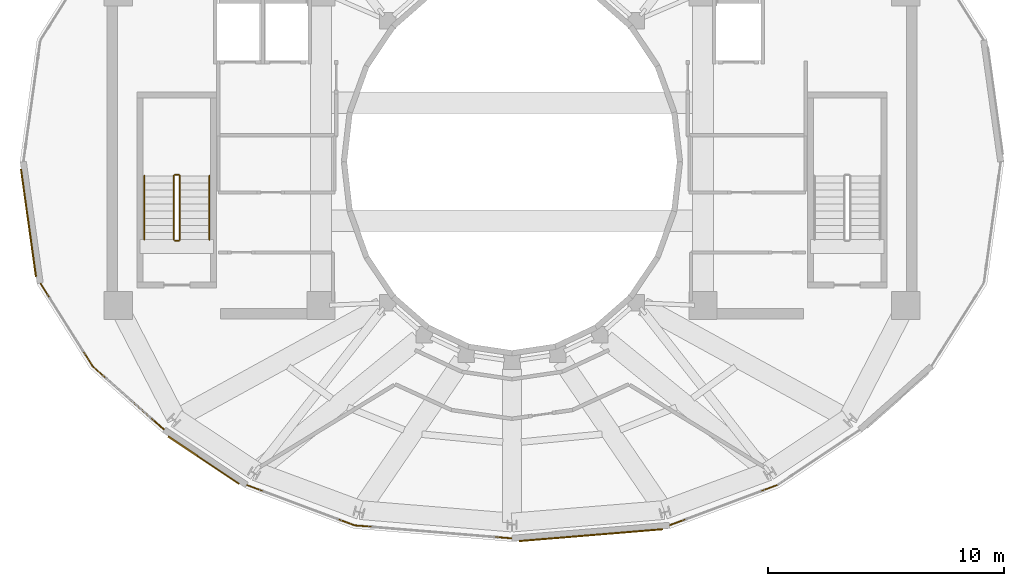
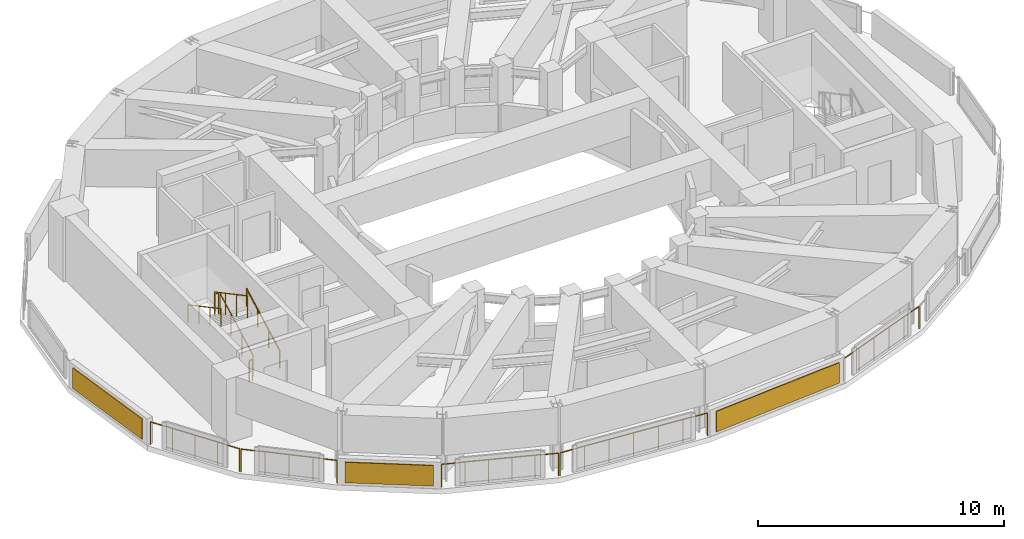
# One storey, part 16 of 18: 11 railings, 3 shading devices.
"""IFC4 building model written with IfcOpenShell, lengths in metres."""

import ifcopenshell
import ifcopenshell.guid

model = None  # the IFC model being written
_history = None  # IfcOwnerHistory: only IFC2X3 demands one
_inside = {}  # id of a spatial element -> (the spatial element, [elements in it])
_under = {}  # id of a project, library or spatial element -> (it, [spatial elements below it])
_declared = {}  # id of a project -> (the project, [libraries it declares])
_typed = {}  # id of a type object -> (the type object, [elements of that type])
_made_of = {}  # id of a material, layer set ... -> (it, [elements and type objects made of it])


def new_model(schema):
    """Start an empty IFC model of exactly this schema.

    Asked for "IFC4X3", IfcOpenShell would pick the latest addendum, in which some entities
    have other attributes; the version numbers below select the first issue.
    IFC2X3 requires an IfcOwnerHistory on every rooted entity: one is made here for all.
    """
    global model, _history
    if schema == "IFC4X3":
        model = ifcopenshell.file(schema_version=(4, 3, 0, 0))
    else:
        model = ifcopenshell.file(schema=schema)
    _inside.clear()
    _under.clear()
    _declared.clear()
    _typed.clear()
    _made_of.clear()
    _history = None
    if model.schema == "IFC2X3":
        org = make("IfcOrganization", Name="unknown")
        user = make(
            "IfcPersonAndOrganization",
            ThePerson=make("IfcPerson", FamilyName="unknown"),
            TheOrganization=org,
        )
        app = make(
            "IfcApplication",
            ApplicationDeveloper=org,
            Version="unknown",
            ApplicationFullName="unknown",
            ApplicationIdentifier="unknown",
        )
        _history = make(
            "IfcOwnerHistory",
            OwningUser=user,
            OwningApplication=app,
            ChangeAction="ADDED",
            CreationDate=0,
        )
    return model


def make(cls, **values):
    """One entity of the class cls with the attributes given. An attribute that is None is left unset."""
    return model.create_entity(
        cls, **{name: value for name, value in values.items() if value is not None}
    )


def rooted(cls, **values):
    """An entity with a GlobalId (a new one), such as an element, a storey or a relation."""
    return make(cls, GlobalId=ifcopenshell.guid.new(), OwnerHistory=_history, **values)


def si_unit(unit_type, name, prefix=None):
    """IfcSIUnit, for example si_unit("LENGTHUNIT", "METRE", prefix="MILLI")."""
    return make("IfcSIUnit", UnitType=unit_type, Prefix=prefix, Name=name)


def assignment(units):
    """IfcUnitAssignment: the units of a project."""
    return None if units is None else make("IfcUnitAssignment", Units=units)


def point(xyz):
    """IfcCartesianPoint."""
    return None if xyz is None else make("IfcCartesianPoint", Coordinates=xyz)


def direction(xyz):
    """IfcDirection."""
    return None if xyz is None else make("IfcDirection", DirectionRatios=xyz)


def frame(location, z_axis=None, x_axis=None):
    """IfcAxis2Placement3D, a coordinate frame: its origin and axes. An axis left out is left unset."""
    return make(
        "IfcAxis2Placement3D",
        Location=point(location),
        Axis=direction(z_axis),
        RefDirection=direction(x_axis),
    )


def frame_2d(location, x_axis=None):
    """IfcAxis2Placement2D, a coordinate frame in the plane: its origin and x axis."""
    return make(
        "IfcAxis2Placement2D", Location=point(location), RefDirection=direction(x_axis)
    )


def origin():
    """The frame at (0, 0, 0) with its axes left unset."""
    return frame((0.0, 0.0, 0.0))


def origin_2d():
    """The frame at (0, 0) in the plane with its x axis left unset."""
    return frame_2d((0.0, 0.0))


def place(relative_to, where):
    """IfcLocalPlacement: puts the frame where relative to a parent placement (None: the world)."""
    return make(
        "IfcLocalPlacement", PlacementRelTo=relative_to, RelativePlacement=where
    )


def context(
    kind, dimensions, precision=None, world=None, true_north=None, identifier=None
):
    """IfcGeometricRepresentationContext, for example the 3D "Model" context."""
    return make(
        "IfcGeometricRepresentationContext",
        ContextIdentifier=identifier,
        ContextType=kind,
        CoordinateSpaceDimension=dimensions,
        Precision=precision,
        WorldCoordinateSystem=world,
        TrueNorth=true_north,
    )


def subcontext(parent, identifier, kind, view, scale=None):
    """IfcGeometricRepresentationSubContext, for example "Body" below "Model"."""
    return make(
        "IfcGeometricRepresentationSubContext",
        ContextIdentifier=identifier,
        ContextType=kind,
        ParentContext=parent,
        TargetScale=scale,
        TargetView=view,
    )


def project(units=None, contexts=None):
    """IfcProject with its units and contexts."""
    return rooted(
        "IfcProject",
        Name="project",
        RepresentationContexts=contexts,
        UnitsInContext=assignment(units),
    )


def spatial(cls, under=None, at=None, **own):
    """A site, building, storey or space (cls), placed at a placement, below another one or the project."""
    s = rooted(cls, ObjectPlacement=at, **own)
    if under is not None:
        _under.setdefault(under.id(), (under, []))[1].append(s)
    return s


def profile(cls, at=None, kind="AREA", **sizes):
    """A parametric profile (cls). Its sizes go by their IFC names, for example OverallWidth=200.0."""
    return make(cls, ProfileType=kind, Position=at, **sizes)


def rectangle(**sizes):
    """IfcRectangleProfileDef."""
    return profile("IfcRectangleProfileDef", **sizes)


def circle(**sizes):
    """IfcCircleProfileDef."""
    return profile("IfcCircleProfileDef", **sizes)


def extrude(swept, where, along, depth):
    """IfcExtrudedAreaSolid: the profile swept, set in the frame where, extruded along a direction by depth."""
    return make(
        "IfcExtrudedAreaSolid",
        SweptArea=swept,
        Position=where,
        ExtrudedDirection=direction(along),
        Depth=depth,
    )


def shape(context_of_items, identifier, shape_type, items):
    """IfcShapeRepresentation: the items that make up one representation, for example the "Body"."""
    return make(
        "IfcShapeRepresentation",
        ContextOfItems=context_of_items,
        RepresentationIdentifier=identifier,
        RepresentationType=shape_type,
        Items=items,
    )


def material(Name=None, Category=None):
    """IfcMaterial."""
    return make("IfcMaterial", Name=Name, Category=Category)


def layer(
    of_material, thickness, ventilated=None, Name=None, Category=None, Priority=None
):
    """IfcMaterialLayer: one layer of a wall or slab, of a material (None: an air gap)."""
    return make(
        "IfcMaterialLayer",
        Material=of_material,
        LayerThickness=thickness,
        IsVentilated=ventilated,
        Name=Name,
        Category=Category,
        Priority=Priority,
    )


def layer_set(layers, Name=None):
    """IfcMaterialLayerSet."""
    return make("IfcMaterialLayerSet", MaterialLayers=layers, LayerSetName=Name)


def made_of(thing, what):
    """Note that an element or type object is made of a material, layer set ...; save() writes the relation."""
    if what is not None:
        _made_of.setdefault(what.id(), (what, []))[1].append(thing)
    return thing


def type_object(cls, material=None, **own):
    """A type object (cls), such as IfcWallType, which elements share."""
    return made_of(rooted(cls, **own), material)


def element(
    cls,
    number,
    at=None,
    inside=None,
    cuts=None,
    type_object=None,
    material=None,
    context=None,
    identifier="Body",
    shape_type=None,
    held_by="IfcProductDefinitionShape",
    body=None,
    shapes=None,
    **own,
):
    """One element of the class cls, such as IfcWall. Its Tag is "e" and its number.

    at: its placement. inside: the storey or other place that contains it. cuts: it is an
    opening in that element (IfcRelVoidsElement). A single representation is given by context,
    identifier, shape_type and body (its items); several are given by shapes. held_by: the class
    of the entity that holds the representations. save() writes the other relations.
    """
    e = rooted(cls, Tag="e%d" % number, ObjectPlacement=at, **own)
    if body is not None:
        shapes = [shape(context, identifier, shape_type, body)]
    if shapes is not None:
        e.Representation = make(held_by, Representations=shapes)
    if inside is not None:
        _inside.setdefault(inside.id(), (inside, []))[1].append(e)
    if cuts is not None:
        rooted(
            "IfcRelVoidsElement", RelatingBuildingElement=cuts, RelatedOpeningElement=e
        )
    if type_object is not None:
        _typed.setdefault(type_object.id(), (type_object, []))[1].append(e)
    return made_of(e, material)


def aggregate(whole, parts):
    """IfcRelAggregates: a whole, such as a stair, and the parts it consists of."""
    return rooted("IfcRelAggregates", RelatingObject=whole, RelatedObjects=parts)


def save(model, path):
    """Write the relations noted so far, then the file.

    IfcRelAggregates (storeys below a building ...), IfcRelContainedInSpatialStructure (elements
    in a storey), IfcRelDefinesByType, IfcRelAssociatesMaterial and IfcRelDeclares: one each for
    every whole, place, type object, material and project.
    """
    for whole, parts in _under.values():
        aggregate(whole, parts)
    for where, things in _inside.values():
        rooted(
            "IfcRelContainedInSpatialStructure",
            RelatedElements=things,
            RelatingStructure=where,
        )
    for kind, things in _typed.values():
        rooted("IfcRelDefinesByType", RelatedObjects=things, RelatingType=kind)
    for what, things in _made_of.values():
        rooted("IfcRelAssociatesMaterial", RelatedObjects=things, RelatingMaterial=what)
    for by, libraries in _declared.values():
        rooted("IfcRelDeclares", RelatingContext=by, RelatedDefinitions=libraries)
    model.write(path)


model = new_model("IFC4")

# Units and contexts
model_context = context("Model", 3, precision=1e-05, world=origin(), true_north=direction((0.0, 1.0)))
body_context = subcontext(model_context, "Body", "Model", "MODEL_VIEW")
ifc_project = project(units=[si_unit("LENGTHUNIT", "METRE"), si_unit("AREAUNIT", "SQUARE_METRE"), si_unit("VOLUMEUNIT", "CUBIC_METRE"), si_unit("PLANEANGLEUNIT", "RADIAN"), si_unit("MASSUNIT", "GRAM", prefix="KILO")], contexts=[model_context])

# Site, building, storey
site_placement = place(None, origin())
site = spatial("IfcSite", under=ifc_project, at=site_placement, CompositionType="ELEMENT")
building_placement = place(site_placement, origin())
building = spatial("IfcBuilding", under=site, at=building_placement, Name="Solvane Sanctuary Tower", CompositionType="ELEMENT")
storey_placement = place(building_placement, frame((0.0, 0.0, 263.60009765625)))
storey = spatial("IfcBuildingStorey", under=building, at=storey_placement, Name="L80", CompositionType="ELEMENT", Elevation=263.60009765625)

# Railings
ifc_material_1 = material(Name="Architectural Stainless Steel 316", Category="steel")
railing_type_1 = type_object("IfcRailingType", Name="Railing GR-BALC-1150", PredefinedType="BALUSTRADE", material=ifc_material_1)
railing_1_placement = place(storey_placement, frame((12.011962890625, 17.82958984375, 0.0)))
element("IfcRailing", 1, at=railing_1_placement, inside=storey, type_object=railing_type_1, Name="L80 Crown Curtain-Wall Sill Guard 13", PredefinedType="BALUSTRADE", context=body_context, shape_type="SweptSolid", body=[
    extrude(circle(Radius=0.02392578125, at=origin_2d()), frame((0.0, 0.0, 1.1259765625), z_axis=(0.533008723796, -0.846109744866, 0.0), x_axis=(0.846109744866, 0.533008723796, 0.0)), (0.0, 0.0, 1.0), 4.107666015625),
    extrude(circle(Radius=0.02099609375, at=origin_2d()), origin(), (0.0, 0.0, 1.0), 1.101806640625),
    extrude(circle(Radius=0.02099609375, at=origin_2d()), frame((0.54736328125, -0.868896484375, 0.0)), (0.0, 0.0, 1.0), 1.101806640625),
    extrude(circle(Radius=0.02099609375, at=origin_2d()), frame((1.0947265625, -1.73779296875, 0.0)), (0.0, 0.0, 1.0), 1.101806640625),
    extrude(circle(Radius=0.02099609375, at=origin_2d()), frame((1.64208984375, -2.606689453125, 0.0)), (0.0, 0.0, 1.0), 1.101806640625),
    extrude(circle(Radius=0.02099609375, at=origin_2d()), frame((2.189453125, -3.4755859375, 0.0)), (0.0, 0.0, 1.0), 1.101806640625),
])
railing_2_placement = place(storey_placement, frame((14.239990234375, 14.308837890625, 0.0)))
element("IfcRailing", 2, at=railing_2_placement, inside=storey, type_object=railing_type_1, Name="L80 Crown Curtain-Wall Sill Guard 14", PredefinedType="BALUSTRADE", context=body_context, shape_type="SweptSolid", body=[
    extrude(circle(Radius=0.02392578125, at=origin_2d()), frame((0.0, 0.0, 1.1259765625), z_axis=(0.74800521899, -0.663692844894, 0.0), x_axis=(0.663692844894, 0.74800521899, 0.0)), (0.0, 0.0, 1.0), 3.9990234375),
    extrude(circle(Radius=0.02099609375, at=origin_2d()), origin(), (0.0, 0.0, 1.0), 1.101806640625),
    extrude(circle(Radius=0.02099609375, at=origin_2d()), frame((0.747802734375, -0.66357421875, 0.0)), (0.0, 0.0, 1.0), 1.101806640625),
    extrude(circle(Radius=0.02099609375, at=origin_2d()), frame((1.49560546875, -1.3271484375, 0.0)), (0.0, 0.0, 1.0), 1.101806640625),
    extrude(circle(Radius=0.02099609375, at=origin_2d()), frame((2.243408203125, -1.990478515625, 0.0)), (0.0, 0.0, 1.0), 1.101806640625),
    extrude(circle(Radius=0.02099609375, at=origin_2d()), frame((2.9912109375, -2.654052734375, 0.0)), (0.0, 0.0, 1.0), 1.101806640625),
])
railing_3_placement = place(storey_placement, frame((20.777099609375, 9.284423828125, 0.0)))
element("IfcRailing", 3, at=railing_3_placement, inside=storey, type_object=railing_type_1, Name="L80 Crown Curtain-Wall Sill Guard 16", PredefinedType="BALUSTRADE", context=body_context, shape_type="SweptSolid", body=[
    extrude(circle(Radius=0.02392578125, at=origin_2d()), frame((0.0, 0.0, 1.1259765625), z_axis=(0.936566011604, -0.350491235137, 0.0), x_axis=(0.350491235137, 0.936566011604, 0.0)), (0.0, 0.0, 1.0), 4.8251953125),
    extrude(circle(Radius=0.02099609375, at=origin_2d()), origin(), (0.0, 0.0, 1.0), 1.101806640625),
    extrude(circle(Radius=0.02099609375, at=origin_2d()), frame((0.90380859375, -0.338134765625, 0.0)), (0.0, 0.0, 1.0), 1.101806640625),
    extrude(circle(Radius=0.02099609375, at=origin_2d()), frame((1.8076171875, -0.676513671875, 0.0)), (0.0, 0.0, 1.0), 1.101806640625),
    extrude(circle(Radius=0.02099609375, at=origin_2d()), frame((2.71142578125, -1.0146484375, 0.0)), (0.0, 0.0, 1.0), 1.101806640625),
    extrude(circle(Radius=0.02099609375, at=origin_2d()), frame((3.615234375, -1.35302734375, 0.0)), (0.0, 0.0, 1.0), 1.101806640625),
    extrude(circle(Radius=0.02099609375, at=origin_2d()), frame((4.51904296875, -1.691162109375, 0.0)), (0.0, 0.0, 1.0), 1.101806640625),
])
railing_4_placement = place(storey_placement, frame((25.354248046875, 7.580078125, 0.0)))
element("IfcRailing", 4, at=railing_4_placement, inside=storey, type_object=railing_type_1, Name="L80 Crown Curtain-Wall Sill Guard 17", PredefinedType="BALUSTRADE", context=body_context, shape_type="SweptSolid", body=[
    extrude(circle(Radius=0.02392578125, at=origin_2d()), frame((0.0, 0.0, 1.1259765625), z_axis=(0.996604098874, -0.082342395564, 0.0), x_axis=(0.082342395564, 0.996604098874, 0.0)), (0.0, 0.0, 1.0), 6.638427734375),
    extrude(circle(Radius=0.02099609375, at=origin_2d()), origin(), (0.0, 0.0, 1.0), 1.101806640625),
    extrude(circle(Radius=0.02099609375, at=origin_2d()), frame((1.1025390625, -0.091064453125, 0.0)), (0.0, 0.0, 1.0), 1.101806640625),
    extrude(circle(Radius=0.02099609375, at=origin_2d()), frame((2.205322265625, -0.18212890625, 0.0)), (0.0, 0.0, 1.0), 1.101806640625),
    extrude(circle(Radius=0.02099609375, at=origin_2d()), frame((3.30810546875, -0.2734375, 0.0)), (0.0, 0.0, 1.0), 1.101806640625),
    extrude(circle(Radius=0.02099609375, at=origin_2d()), frame((4.41064453125, -0.364501953125, 0.0)), (0.0, 0.0, 1.0), 1.101806640625),
    extrude(circle(Radius=0.02099609375, at=origin_2d()), frame((5.51318359375, -0.45556640625, 0.0)), (0.0, 0.0, 1.0), 1.101806640625),
    extrude(circle(Radius=0.02099609375, at=origin_2d()), frame((6.615966796875, -0.546630859375, 0.0)), (0.0, 0.0, 1.0), 1.101806640625),
])
railing_5_placement = place(storey_placement, frame((38.703857421875, 7.59326171875, 0.0)))
element("IfcRailing", 5, at=railing_5_placement, inside=storey, type_object=railing_type_1, Name="L80 Crown Curtain-Wall Sill Guard 19", PredefinedType="BALUSTRADE", context=body_context, shape_type="SweptSolid", body=[
    extrude(circle(Radius=0.02392578125, at=origin_2d()), frame((0.0, 0.0, 1.1259765625), z_axis=(0.936566011604, 0.350491235137, 0.0), x_axis=(-0.350491235137, 0.936566011604, 0.0)), (0.0, 0.0, 1.0), 4.8251953125),
    extrude(circle(Radius=0.02099609375, at=origin_2d()), origin(), (0.0, 0.0, 1.0), 1.101806640625),
    extrude(circle(Radius=0.02099609375, at=origin_2d()), frame((0.90380859375, 0.338134765625, 0.0)), (0.0, 0.0, 1.0), 1.101806640625),
    extrude(circle(Radius=0.02099609375, at=origin_2d()), frame((1.8076171875, 0.676513671875, 0.0)), (0.0, 0.0, 1.0), 1.101806640625),
    extrude(circle(Radius=0.02099609375, at=origin_2d()), frame((2.71142578125, 1.0146484375, 0.0)), (0.0, 0.0, 1.0), 1.101806640625),
    extrude(circle(Radius=0.02099609375, at=origin_2d()), frame((3.615234375, 1.35302734375, 0.0)), (0.0, 0.0, 1.0), 1.101806640625),
    extrude(circle(Radius=0.02099609375, at=origin_2d()), frame((4.51904296875, 1.691162109375, 0.0)), (0.0, 0.0, 1.0), 1.101806640625),
])
railing_6_placement = place(storey_placement, frame((17.919921875, 19.699951171875, 0.159912109375)))
element("IfcRailing", 6, at=railing_6_placement, inside=storey, type_object=railing_type_1, Name="L80 ST-1 stair guard 1", PredefinedType="BALUSTRADE", context=body_context, shape_type="SweptSolid", body=[
    extrude(circle(Radius=0.02392578125, at=origin_2d()), frame((0.0, 0.0, 1.076171875), z_axis=(0.0, 0.882357358376, 0.470579952952), x_axis=(-1.0, 0.0, 0.0)), (0.0, 0.0, 1.0), 3.059814453125),
    extrude(circle(Radius=0.02099609375, at=origin_2d()), origin(), (0.0, 0.0, 1.0), 1.052001953125),
    extrude(circle(Radius=0.02099609375, at=origin_2d()), frame((0.0, 0.89990234375, 0.47998046875)), (0.0, 0.0, 1.0), 1.052001953125),
    extrude(circle(Radius=0.02099609375, at=origin_2d()), frame((0.0, 1.800048828125, 0.9599609375)), (0.0, 0.0, 1.0), 1.052001953125),
    extrude(circle(Radius=0.02099609375, at=origin_2d()), frame((0.0, 2.699951171875, 1.43994140625)), (0.0, 0.0, 1.0), 1.052001953125),
])
railing_7_placement = place(storey_placement, frame((17.8701171875, 22.449951171875, 1.599853515625)))
element("IfcRailing", 7, at=railing_7_placement, inside=storey, type_object=railing_type_1, Name="L80 ST-1 stair guard 2", PredefinedType="BALUSTRADE", context=body_context, shape_type="SweptSolid", body=[
    extrude(circle(Radius=0.02392578125, at=origin_2d()), frame((0.0, 0.0, 1.076171875), z_axis=(-1.0, 0.0, 0.0), x_axis=(0.0, -1.0, 0.0)), (0.0, 0.0, 1.0), 0.16015625),
    extrude(circle(Radius=0.02099609375, at=origin_2d()), origin(), (0.0, 0.0, 1.0), 1.052001953125),
    extrude(circle(Radius=0.02099609375, at=origin_2d()), frame((-0.16015625, 0.0, 0.0)), (0.0, 0.0, 1.0), 1.052001953125),
])
railing_8_placement = place(storey_placement, frame((17.659912109375, 22.39990234375, 1.760009765625)))
element("IfcRailing", 8, at=railing_8_placement, inside=storey, type_object=railing_type_1, Name="L80 ST-1 stair guard 3", PredefinedType="BALUSTRADE", context=body_context, shape_type="SweptSolid", body=[
    extrude(circle(Radius=0.02392578125, at=origin_2d()), frame((0.0, 0.0, 1.076171875), z_axis=(0.0, -0.882357358376, 0.470579952952), x_axis=(1.0, 0.0, 0.0)), (0.0, 0.0, 1.0), 3.059814453125),
    extrude(circle(Radius=0.02099609375, at=origin_2d()), origin(), (0.0, 0.0, 1.0), 1.052001953125),
    extrude(circle(Radius=0.02099609375, at=origin_2d()), frame((0.0, -0.89990234375, 0.47998046875)), (0.0, 0.0, 1.0), 1.052001953125),
    extrude(circle(Radius=0.02099609375, at=origin_2d()), frame((0.0, -1.800048828125, 0.9599609375)), (0.0, 0.0, 1.0), 1.052001953125),
    extrude(circle(Radius=0.02099609375, at=origin_2d()), frame((0.0, -2.699951171875, 1.43994140625)), (0.0, 0.0, 1.0), 1.052001953125),
])
railing_9_placement = place(storey_placement, frame((17.8701171875, 19.64990234375, 0.0)))
element("IfcRailing", 9, at=railing_9_placement, inside=storey, type_object=railing_type_1, Name="L80 ST-1 stair guard 4", PredefinedType="BALUSTRADE", context=body_context, shape_type="SweptSolid", body=[
    extrude(circle(Radius=0.02392578125, at=origin_2d()), frame((0.0, 0.0, 1.076171875), z_axis=(-1.0, 0.0, 0.0), x_axis=(0.0, -1.0, 0.0)), (0.0, 0.0, 1.0), 0.16015625),
    extrude(circle(Radius=0.02099609375, at=origin_2d()), origin(), (0.0, 0.0, 1.0), 1.052001953125),
    extrude(circle(Radius=0.02099609375, at=origin_2d()), frame((-0.16015625, 0.0, 0.0)), (0.0, 0.0, 1.0), 1.052001953125),
])
railing_type_2 = type_object("IfcRailingType", Name="Railing HR-STAIR-920", PredefinedType="HANDRAIL", material=ifc_material_1)
railing_10_placement = place(storey_placement, frame((19.169921875, 19.699951171875, 0.159912109375)))
element("IfcRailing", 10, at=railing_10_placement, inside=storey, type_object=railing_type_2, Name="L80 ST-1 stair handrail 1", PredefinedType="HANDRAIL", context=body_context, shape_type="SweptSolid", body=[
    extrude(circle(Radius=0.02392578125, at=origin_2d()), frame((0.0, 0.0, 0.8759765625), z_axis=(0.0, 0.882357358376, 0.470579952952), x_axis=(-1.0, 0.0, 0.0)), (0.0, 0.0, 1.0), 3.059814453125),
    extrude(circle(Radius=0.02099609375, at=origin_2d()), origin(), (0.0, 0.0, 1.0), 0.851806640625),
    extrude(circle(Radius=0.02099609375, at=origin_2d()), frame((0.0, 0.89990234375, 0.47998046875)), (0.0, 0.0, 1.0), 0.851806640625),
    extrude(circle(Radius=0.02099609375, at=origin_2d()), frame((0.0, 1.800048828125, 0.9599609375)), (0.0, 0.0, 1.0), 0.851806640625),
    extrude(circle(Radius=0.02099609375, at=origin_2d()), frame((0.0, 2.699951171875, 1.43994140625)), (0.0, 0.0, 1.0), 0.851806640625),
])
railing_11_placement = place(storey_placement, frame((16.409912109375, 22.39990234375, 1.760009765625)))
element("IfcRailing", 11, at=railing_11_placement, inside=storey, type_object=railing_type_2, Name="L80 ST-1 stair handrail 2", PredefinedType="HANDRAIL", context=body_context, shape_type="SweptSolid", body=[
    extrude(circle(Radius=0.02392578125, at=origin_2d()), frame((0.0, 0.0, 0.8759765625), z_axis=(0.0, -0.882357358376, 0.470579952952), x_axis=(1.0, 0.0, 0.0)), (0.0, 0.0, 1.0), 3.059814453125),
    extrude(circle(Radius=0.02099609375, at=origin_2d()), origin(), (0.0, 0.0, 1.0), 0.851806640625),
    extrude(circle(Radius=0.02099609375, at=origin_2d()), frame((0.0, -0.89990234375, 0.47998046875)), (0.0, 0.0, 1.0), 0.851806640625),
    extrude(circle(Radius=0.02099609375, at=origin_2d()), frame((0.0, -1.800048828125, 0.9599609375)), (0.0, 0.0, 1.0), 0.851806640625),
    extrude(circle(Radius=0.02099609375, at=origin_2d()), frame((0.0, -2.699951171875, 1.43994140625)), (0.0, 0.0, 1.0), 0.851806640625),
])

# Shading devices
ifc_material_2 = material(Name="Anodised Aluminium 6063-T6", Category="aluminium")
ifc_layer = layer(ifc_material_2, 0.06005859375, Name="Anodised Aluminium 6063-T6")
ifc_layer_set = layer_set([ifc_layer], Name="Anodised Aluminium 6063-T6")
shading_device_type = type_object("IfcShadingDeviceType", Name="Shading SHD-LOUVRE", PredefinedType="JALOUSIE", material=ifc_layer_set)
shading_device_1_placement = place(storey_placement, frame((11.499267578125, 20.408203125, 0.14990234375), z_axis=(0.0, 0.0, 1.0), x_axis=(0.137816220857, -0.990457818016, 0.0)))
element("IfcShadingDevice", 12, at=shading_device_1_placement, inside=storey, type_object=shading_device_type, Name="L80 Crown Storm Louvre Panel 12", PredefinedType="JALOUSIE", context=body_context, shape_type="SweptSolid", body=[
    extrude(rectangle(XDim=4.594482421875, YDim=0.06005859375, at=origin_2d()), origin(), (0.0, 0.0, 1.0), 1.02001953125),
])
shading_device_2_placement = place(storey_placement, frame((18.92333984375, 10.3486328125, 0.14990234375), z_axis=(0.0, 0.0, 1.0), x_axis=(0.830984469274, -0.5562956155, 0.0)))
element("IfcShadingDevice", 13, at=shading_device_2_placement, inside=storey, type_object=shading_device_type, Name="L80 Crown Storm Louvre Panel 15", PredefinedType="JALOUSIE", context=body_context, shape_type="SweptSolid", body=[
    extrude(rectangle(XDim=3.606201171875, YDim=0.06005859375, at=origin_2d()), origin(), (0.0, 0.0, 1.0), 1.02001953125),
])
shading_device_3_placement = place(storey_placement, frame((35.349365234375, 7.167236328125, 0.14990234375), z_axis=(0.0, 0.0, 1.0), x_axis=(0.996602402085, 0.082362929521, 0.0)))
element("IfcShadingDevice", 14, at=shading_device_3_placement, inside=storey, type_object=shading_device_type, Name="L80 Crown Storm Louvre Panel 18", PredefinedType="JALOUSIE", context=body_context, shape_type="SweptSolid", body=[
    extrude(rectangle(XDim=6.098388671875, YDim=0.06005859375, at=origin_2d()), origin(), (0.0, 0.0, 1.0), 1.02001953125),
])

save(model, "model.ifc")
